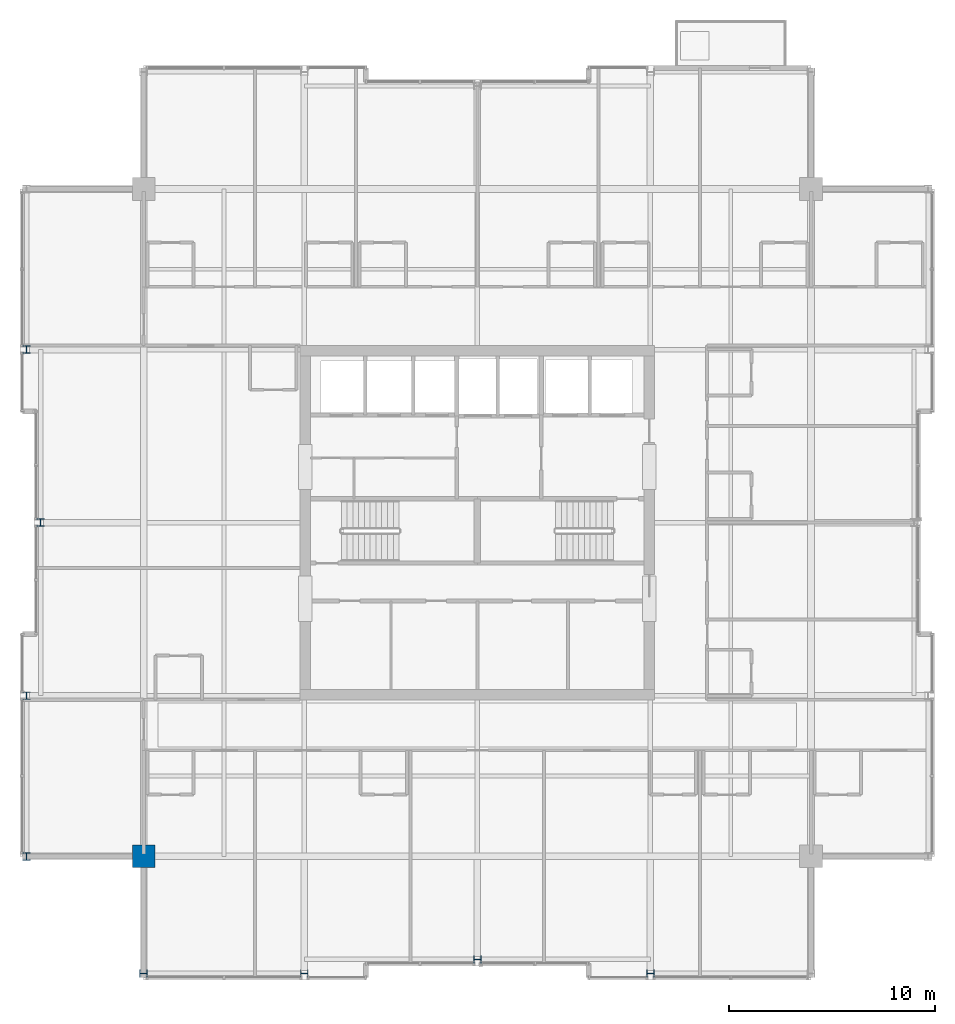
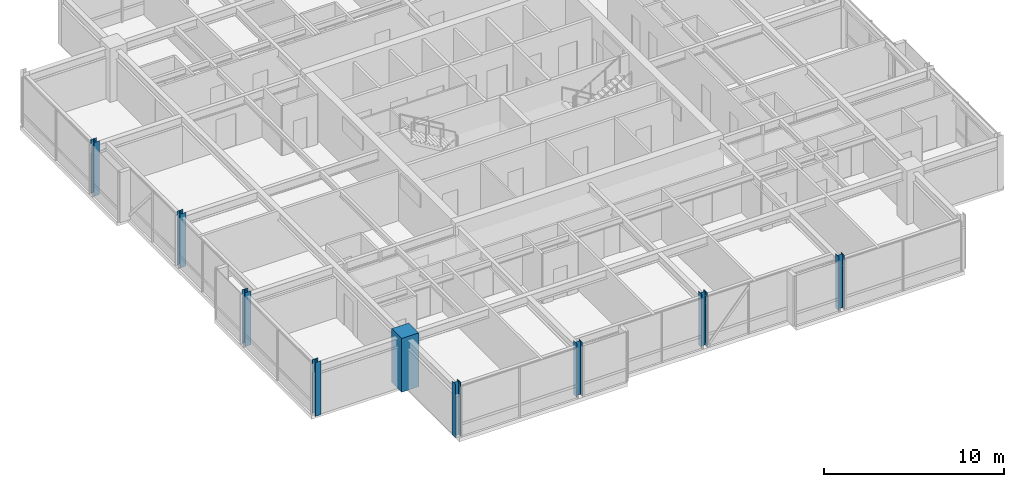
# One storey, part 1 of 34: 9 columns.
"""IFC4 building model written with IfcOpenShell, lengths in metres."""

from ifc_helpers import new_model, si_unit, direction, frame, origin, origin_2d, place, context, subcontext, project, spatial, rectangle, i_section, extrude, material, material_profile, profile_set, type_object, element, save


model = new_model("IFC4")

# Units and contexts
model_context = context("Model", 3, precision=1e-05, world=origin(), true_north=direction((0.0, 1.0)))
body_context = subcontext(model_context, "Body", "Model", "MODEL_VIEW")
ifc_project = project(units=[si_unit("LENGTHUNIT", "METRE"), si_unit("AREAUNIT", "SQUARE_METRE"), si_unit("VOLUMEUNIT", "CUBIC_METRE"), si_unit("PLANEANGLEUNIT", "RADIAN"), si_unit("MASSUNIT", "GRAM", prefix="KILO")], contexts=[model_context])

# Site, building, storey
site_placement = place(None, origin())
site = spatial("IfcSite", under=ifc_project, at=site_placement, CompositionType="ELEMENT")
building_placement = place(site_placement, origin())
building = spatial("IfcBuilding", under=site, at=building_placement, Name="Drelvath Grand Hotel", CompositionType="ELEMENT")
storey_placement = place(building_placement, frame((0.0, 0.0, 272.300048828125)))
storey = spatial("IfcBuildingStorey", under=building, at=storey_placement, Name="L71", CompositionType="ELEMENT", Elevation=272.300048828125)

# Columns
ifc_material_1 = material(Name="Concrete f'c 55 MPa", Category="concrete")
ifc_material_profile_1 = material_profile(ifc_material_1, rectangle(XDim=1.10009765625, YDim=1.10009765625, at=origin_2d()), Name="MC1100X1100")
ifc_profile_set_1 = profile_set([ifc_material_profile_1], Name="Concrete f'c 55 MPa")
column_type_1 = type_object("IfcColumnType", Name="Composite Mega Column MC1100X1100", PredefinedType="COLUMN", material=ifc_profile_set_1)
column_placement = place(storey_placement, frame((-16.199951171875, 10.800048828125, 0.0), z_axis=(0.0, 0.0, 1.0), x_axis=(1.0, 0.0, 0.0)))
element("IfcColumn", 1, at=column_placement, inside=storey, type_object=column_type_1, Name="L71 Composite Mega Column MC-SW", PredefinedType="COLUMN", context=body_context, shape_type="SweptSolid", body=[
    extrude(rectangle(XDim=1.10009765625, YDim=1.10009765625, at=origin_2d()), origin(), (0.0, 0.0, 1.0), 3.64990234375),
])
ifc_material_2 = material(Name="Steel ASTM A913 Gr 65", Category="steel")
ifc_material_profile_2 = material_profile(ifc_material_2, i_section(OverallWidth=0.368896484375, OverallDepth=0.356201171875, WebThickness=0.01123046875, FlangeThickness=0.01806640625, FilletRadius=0.02490234375, at=origin_2d()), Name="W14X90")
ifc_profile_set_2 = profile_set([ifc_material_profile_2], Name="Steel ASTM A913 Gr 65")
column_type_2 = type_object("IfcColumnType", Name="Perimeter Steel Column W14X90", PredefinedType="COLUMN", material=ifc_profile_set_2)
for number, where, z_axis, x_axis, name in (
    (2, (-21.8798828125, 10.800048828125, 0.0), (0.0, 0.0, 1.0), (1.0, 0.0, 0.0), "L71 Structural Column TCW-C"),
    (3, (-21.8798828125, 18.60009765625, 0.0), (0.0, 0.0, 1.0), (1.0, 0.0, 0.0), "L71 Structural Column TCW-D"),
    (4, (-21.199951171875, 27.0, 0.0), (0.0, 0.0, 1.0), (1.0, 0.0, 0.0), "L71 Structural Column TCW-E"),
    (5, (-21.8798828125, 35.39990234375, 0.0), (0.0, 0.0, 1.0), (1.0, 0.0, 0.0), "L71 Structural Column TCW-F"),
    (6, (-16.199951171875, 5.1201171875, 0.0), (0.0, 0.0, 1.0), (0.0, 1.0, 0.0), "L71 Structural Column TCS-3"),
    (7, (-8.39990234375, 5.1201171875, 0.0), (0.0, 0.0, 1.0), (0.0, 1.0, 0.0), "L71 Structural Column TCS-4"),
    (8, (0.0, 5.800048828125, 0.0), (0.0, 0.0, 1.0), (0.0, 1.0, 0.0), "L71 Structural Column TCS-5"),
    (9, (8.39990234375, 5.1201171875, 0.0), (0.0, 0.0, 1.0), (0.0, 1.0, 0.0), "L71 Structural Column TCS-6"),
):
    element("IfcColumn", number, at=place(storey_placement, frame(where, z_axis=z_axis, x_axis=x_axis)), inside=storey, type_object=column_type_2, Name=name, PredefinedType="COLUMN", context=body_context, shape_type="SweptSolid", body=[
        extrude(i_section(OverallWidth=0.368896484375, OverallDepth=0.356201171875, WebThickness=0.01123046875, FlangeThickness=0.01806640625, FilletRadius=0.02490234375, at=origin_2d()), origin(), (0.0, 0.0, 1.0), 3.64697265625),
    ])

save(model, "model.ifc")
